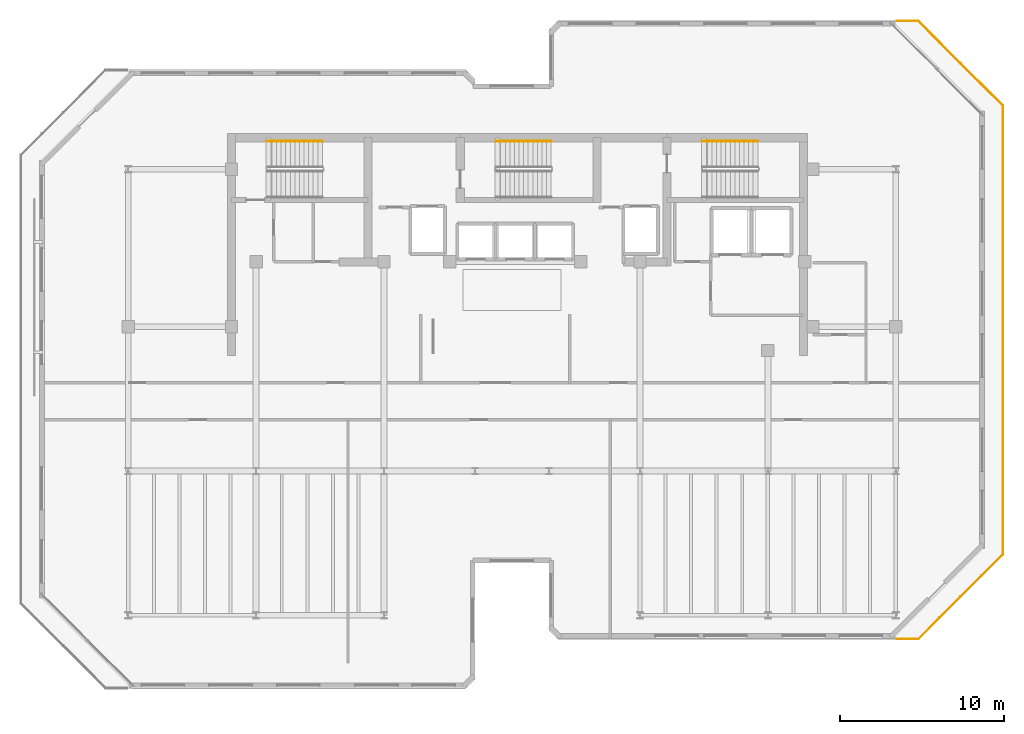
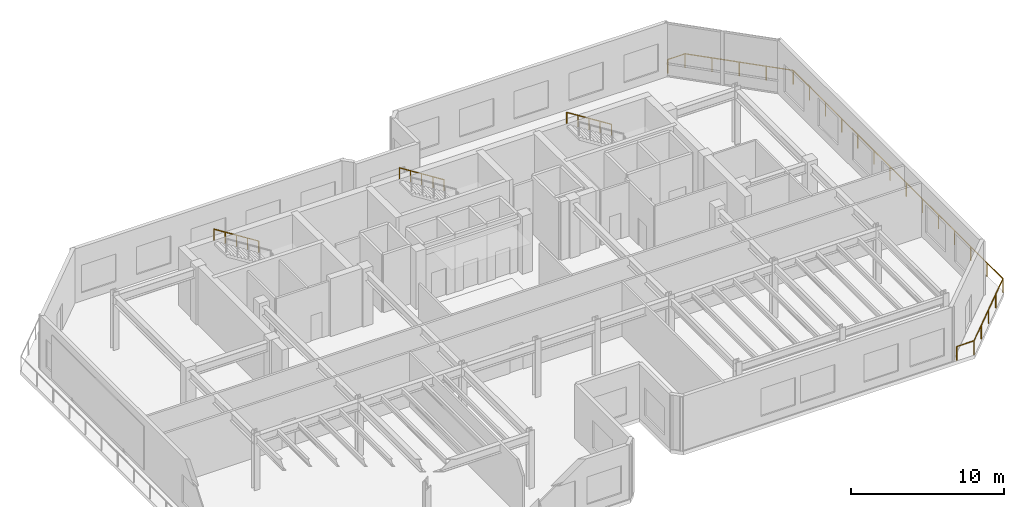
# One storey, part 12 of 12: 4 railings.
"""IFC4 building model written with IfcOpenShell, lengths in metres."""

from ifc_helpers import new_model, si_unit, direction, frame, origin, origin_2d, place, context, subcontext, project, spatial, circle, extrude, material, type_object, element, save


model = new_model("IFC4")

# Units and contexts
model_context = context("Model", 3, precision=1e-05, world=origin(), true_north=direction((0.0, 1.0)))
body_context = subcontext(model_context, "Body", "Model", "MODEL_VIEW")
ifc_project = project(units=[si_unit("LENGTHUNIT", "METRE"), si_unit("AREAUNIT", "SQUARE_METRE"), si_unit("VOLUMEUNIT", "CUBIC_METRE"), si_unit("PLANEANGLEUNIT", "RADIAN"), si_unit("MASSUNIT", "GRAM", prefix="KILO")], contexts=[model_context])

# Site, building, storey
site_placement = place(None, origin())
site = spatial("IfcSite", under=ifc_project, at=site_placement, CompositionType="ELEMENT")
building_placement = place(site_placement, origin())
building = spatial("IfcBuilding", under=site, at=building_placement, Name="Kestravale Grand Hotel", CompositionType="ELEMENT")
storey_placement = place(building_placement, frame((0.0, 0.0, 302.0)))
storey = spatial("IfcBuildingStorey", under=building, at=storey_placement, Name="L75", CompositionType="ELEMENT", Elevation=302.0)

# Railings
ifc_material_1 = material(Name="Champagne-bronze stainless steel and laminated glass guard", Category="steel")
railing_type_1 = type_object("IfcRailingType", Name="RL-EXT-1100", PredefinedType="GUARDRAIL", material=ifc_material_1)
railing_1_placement = place(storey_placement, frame((62.47119140625, 47.43994140625, 0.0)))
element("IfcRailing", 1, at=railing_1_placement, inside=storey, type_object=railing_type_1, Name="L75 outdoor terrace guard 1", PredefinedType="GUARDRAIL", context=body_context, shape_type="SweptSolid", body=[
    extrude(circle(Radius=0.02392578125, at=origin_2d()), frame((0.0, 0.0, 1.09619140625), z_axis=(1.0, 0.0, 0.0), x_axis=(0.0, 1.0, 0.0)), (0.0, 0.0, 1.0), 1.303955078125),
    extrude(circle(Radius=0.02392578125, at=origin_2d()), frame((1.303955078125, 0.0, 1.09619140625), z_axis=(0.707106781187, -0.707106781187, 0.0), x_axis=(0.707106781187, 0.707106781187, 0.0)), (0.0, 0.0, 1.0), 7.30419921875),
    extrude(circle(Radius=0.02392578125, at=origin_2d()), frame((6.46875, -5.164794921875, 1.09619140625), z_axis=(0.0, -1.0, 0.0), x_axis=(1.0, 0.0, 0.0)), (0.0, 0.0, 1.0), 27.350341796875),
    extrude(circle(Radius=0.02392578125, at=origin_2d()), frame((6.46875, -32.51513671875, 1.09619140625), z_axis=(-0.707106781187, -0.707106781187, 0.0), x_axis=(0.707106781187, -0.707106781187, 0.0)), (0.0, 0.0, 1.0), 7.30419921875),
    extrude(circle(Radius=0.02392578125, at=origin_2d()), frame((1.303955078125, -37.679931640625, 1.09619140625), z_axis=(-1.0, 0.0, 0.0), x_axis=(0.0, -1.0, 0.0)), (0.0, 0.0, 1.0), 1.303955078125),
    extrude(circle(Radius=0.02099609375, at=origin_2d()), origin(), (0.0, 0.0, 1.0), 1.072021484375),
    extrude(circle(Radius=0.02099609375, at=origin_2d()), frame((1.303955078125, 0.0, 0.0)), (0.0, 0.0, 1.0), 1.072021484375),
    extrude(circle(Radius=0.02099609375, at=origin_2d()), frame((2.59521484375, -1.291259765625, 0.0)), (0.0, 0.0, 1.0), 1.072021484375),
    extrude(circle(Radius=0.02099609375, at=origin_2d()), frame((3.88623046875, -2.58251953125, 0.0)), (0.0, 0.0, 1.0), 1.072021484375),
    extrude(circle(Radius=0.02099609375, at=origin_2d()), frame((5.177490234375, -3.87353515625, 0.0)), (0.0, 0.0, 1.0), 1.072021484375),
    extrude(circle(Radius=0.02099609375, at=origin_2d()), frame((6.46875, -5.164794921875, 0.0)), (0.0, 0.0, 1.0), 1.072021484375),
    extrude(circle(Radius=0.02099609375, at=origin_2d()), frame((6.46875, -7.2685546875, 0.0)), (0.0, 0.0, 1.0), 1.072021484375),
    extrude(circle(Radius=0.02099609375, at=origin_2d()), frame((6.46875, -9.37255859375, 0.0)), (0.0, 0.0, 1.0), 1.072021484375),
    extrude(circle(Radius=0.02099609375, at=origin_2d()), frame((6.46875, -11.476318359375, 0.0)), (0.0, 0.0, 1.0), 1.072021484375),
    extrude(circle(Radius=0.02099609375, at=origin_2d()), frame((6.46875, -13.580322265625, 0.0)), (0.0, 0.0, 1.0), 1.072021484375),
    extrude(circle(Radius=0.02099609375, at=origin_2d()), frame((6.46875, -15.68408203125, 0.0)), (0.0, 0.0, 1.0), 1.072021484375),
    extrude(circle(Radius=0.02099609375, at=origin_2d()), frame((6.46875, -17.7880859375, 0.0)), (0.0, 0.0, 1.0), 1.072021484375),
    extrude(circle(Radius=0.02099609375, at=origin_2d()), frame((6.46875, -19.891845703125, 0.0)), (0.0, 0.0, 1.0), 1.072021484375),
    extrude(circle(Radius=0.02099609375, at=origin_2d()), frame((6.46875, -21.995849609375, 0.0)), (0.0, 0.0, 1.0), 1.072021484375),
    extrude(circle(Radius=0.02099609375, at=origin_2d()), frame((6.46875, -24.099609375, 0.0)), (0.0, 0.0, 1.0), 1.072021484375),
    extrude(circle(Radius=0.02099609375, at=origin_2d()), frame((6.46875, -26.20361328125, 0.0)), (0.0, 0.0, 1.0), 1.072021484375),
    extrude(circle(Radius=0.02099609375, at=origin_2d()), frame((6.46875, -28.307373046875, 0.0)), (0.0, 0.0, 1.0), 1.072021484375),
    extrude(circle(Radius=0.02099609375, at=origin_2d()), frame((6.46875, -30.411376953125, 0.0)), (0.0, 0.0, 1.0), 1.072021484375),
    extrude(circle(Radius=0.02099609375, at=origin_2d()), frame((6.46875, -32.51513671875, 0.0)), (0.0, 0.0, 1.0), 1.072021484375),
    extrude(circle(Radius=0.02099609375, at=origin_2d()), frame((5.177490234375, -33.806396484375, 0.0)), (0.0, 0.0, 1.0), 1.072021484375),
    extrude(circle(Radius=0.02099609375, at=origin_2d()), frame((3.88623046875, -35.09765625, 0.0)), (0.0, 0.0, 1.0), 1.072021484375),
    extrude(circle(Radius=0.02099609375, at=origin_2d()), frame((2.59521484375, -36.388671875, 0.0)), (0.0, 0.0, 1.0), 1.072021484375),
    extrude(circle(Radius=0.02099609375, at=origin_2d()), frame((1.303955078125, -37.679931640625, 0.0)), (0.0, 0.0, 1.0), 1.072021484375),
    extrude(circle(Radius=0.02099609375, at=origin_2d()), frame((0.0, -37.679931640625, 0.0)), (0.0, 0.0, 1.0), 1.072021484375),
])
ifc_material_2 = material(Name="Brushed stainless steel wall handrail", Category="steel")
railing_type_2 = type_object("IfcRailingType", Name="RL-ST-HND900", PredefinedType="HANDRAIL", material=ifc_material_2)
for number, where, name in (
    (2, (27.43994140625, 40.110107421875, 2.476806640625), "L75 ST-1 stair handrail 2"),
    (3, (41.389892578125, 40.110107421875, 2.476806640625), "L75 ST-2 stair handrail 2"),
):
    element("IfcRailing", number, at=place(storey_placement, frame(where)), inside=storey, type_object=railing_type_2, Name=name, PredefinedType="HANDRAIL", context=body_context, shape_type="SweptSolid", body=[
        extrude(circle(Radius=0.02392578125, at=origin_2d()), frame((0.0, 0.0, 0.8759765625), z_axis=(-0.845344368971, 0.0, 0.534221768416), x_axis=(0.0, -1.0, 0.0)), (0.0, 0.0, 1.0), 3.974609375),
        extrude(circle(Radius=0.02099609375, at=origin_2d()), origin(), (0.0, 0.0, 1.0), 0.851806640625),
        extrude(circle(Radius=0.02099609375, at=origin_2d()), frame((-0.83984375, 0.0, 0.53076171875)), (0.0, 0.0, 1.0), 0.851806640625),
        extrude(circle(Radius=0.02099609375, at=origin_2d()), frame((-1.679931640625, 0.0, 1.0615234375)), (0.0, 0.0, 1.0), 0.851806640625),
        extrude(circle(Radius=0.02099609375, at=origin_2d()), frame((-2.52001953125, 0.0, 1.592529296875)), (0.0, 0.0, 1.0), 0.851806640625),
        extrude(circle(Radius=0.02099609375, at=origin_2d()), frame((-3.35986328125, 0.0, 2.123291015625)), (0.0, 0.0, 1.0), 0.851806640625),
    ])
railing_2_placement = place(storey_placement, frame((53.989990234375, 40.110107421875, 2.476806640625)))
element("IfcRailing", 4, at=railing_2_placement, inside=storey, type_object=railing_type_2, Name="L75 ST-3 stair handrail 2", PredefinedType="HANDRAIL", context=body_context, shape_type="SweptSolid", body=[
    extrude(circle(Radius=0.02392578125, at=origin_2d()), frame((0.0, 0.0, 0.8759765625), z_axis=(-0.845361898145, 0.0, 0.534194029511), x_axis=(0.0, -1.0, 0.0)), (0.0, 0.0, 1.0), 3.974853515625),
    extrude(circle(Radius=0.02099609375, at=origin_2d()), origin(), (0.0, 0.0, 1.0), 0.851806640625),
    extrude(circle(Radius=0.02099609375, at=origin_2d()), frame((-0.840087890625, 0.0, 0.53076171875)), (0.0, 0.0, 1.0), 0.851806640625),
    extrude(circle(Radius=0.02099609375, at=origin_2d()), frame((-1.68017578125, 0.0, 1.0615234375)), (0.0, 0.0, 1.0), 0.851806640625),
    extrude(circle(Radius=0.02099609375, at=origin_2d()), frame((-2.52001953125, 0.0, 1.592529296875)), (0.0, 0.0, 1.0), 0.851806640625),
    extrude(circle(Radius=0.02099609375, at=origin_2d()), frame((-3.360107421875, 0.0, 2.123291015625)), (0.0, 0.0, 1.0), 0.851806640625),
])

save(model, "model.ifc")
